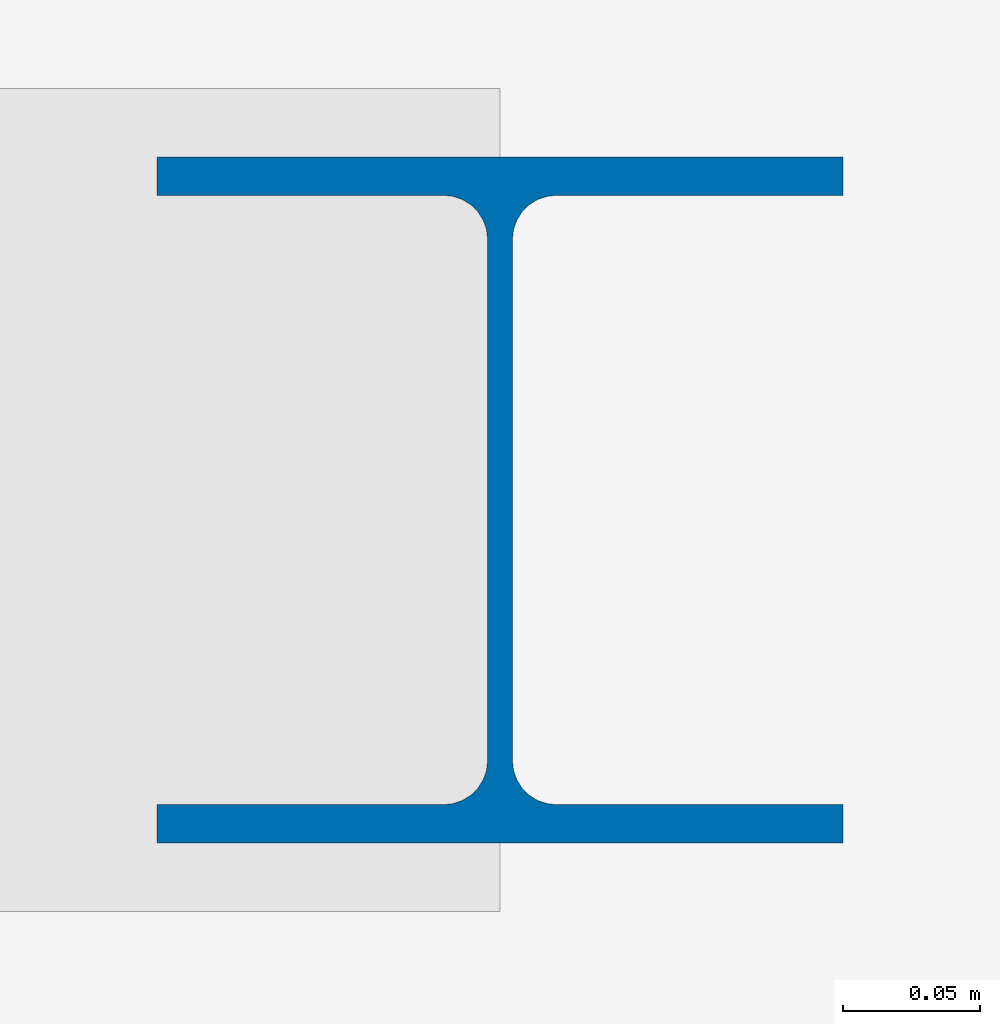
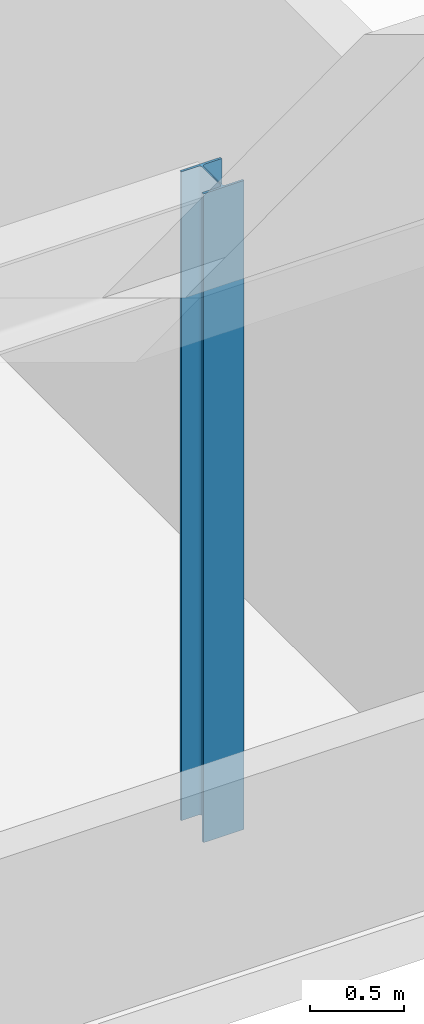
# One storey, part 3 of 6: 1 column.
"""IFC4 building model written with IfcOpenShell, lengths in metres."""

from ifc_helpers import new_model, si_unit, direction, frame, origin, origin_2d, place, context, subcontext, project, spatial, i_section, extrude, material, material_profile, profile_set, type_object, element, save


model = new_model("IFC4")

# Units and contexts
model_context = context("Model", 3, precision=1e-05, world=origin(), true_north=direction((0.0, 1.0)))
body_context = subcontext(model_context, "Body", "Model", "MODEL_VIEW")
ifc_project = project(units=[si_unit("LENGTHUNIT", "METRE"), si_unit("AREAUNIT", "SQUARE_METRE"), si_unit("VOLUMEUNIT", "CUBIC_METRE"), si_unit("PLANEANGLEUNIT", "RADIAN"), si_unit("MASSUNIT", "GRAM", prefix="KILO")], contexts=[model_context])

# Site, building, storey
site_placement = place(None, origin())
site = spatial("IfcSite", under=ifc_project, at=site_placement, CompositionType="ELEMENT")
building_placement = place(site_placement, origin())
building = spatial("IfcBuilding", under=site, at=building_placement, Name="Khairoan Windgate Tower", CompositionType="ELEMENT")
storey_placement = place(building_placement, frame((0.0, 0.0, 339.5)))
storey = spatial("IfcBuildingStorey", under=building, at=storey_placement, Name="L81", CompositionType="ELEMENT", Elevation=339.5)

# Column
ifc_material = material(Name="Steel S355", Category="steel")
ifc_material_profile = material_profile(ifc_material, i_section(OverallWidth=0.25, OverallDepth=0.25, WebThickness=0.009033203125, FlangeThickness=0.013916015625, FilletRadius=0.01611328125, at=origin_2d()))
ifc_profile_set = profile_set([ifc_material_profile], Name="Steel S355")
column_type = type_object("IfcColumnType", Name="Steel Column SC7 H250x250x9x14", PredefinedType="COLUMN", material=ifc_profile_set)
column_placement = place(storey_placement, frame((14.39990234375, -18.60009765625, 0.0), z_axis=(0.0, 0.0, 1.0), x_axis=(1.0, 0.0, 0.0)))
element("IfcColumn", 1, at=column_placement, inside=storey, type_object=column_type, Name="Column L81-12", PredefinedType="COLUMN", context=body_context, shape_type="SweptSolid", body=[
    extrude(i_section(OverallWidth=0.25, OverallDepth=0.25, WebThickness=0.009033203125, FlangeThickness=0.013916015625, FilletRadius=0.01611328125, at=origin_2d()), origin(), (0.0, 0.0, 1.0), 4.219970703125),
])

save(model, "model.ifc")
